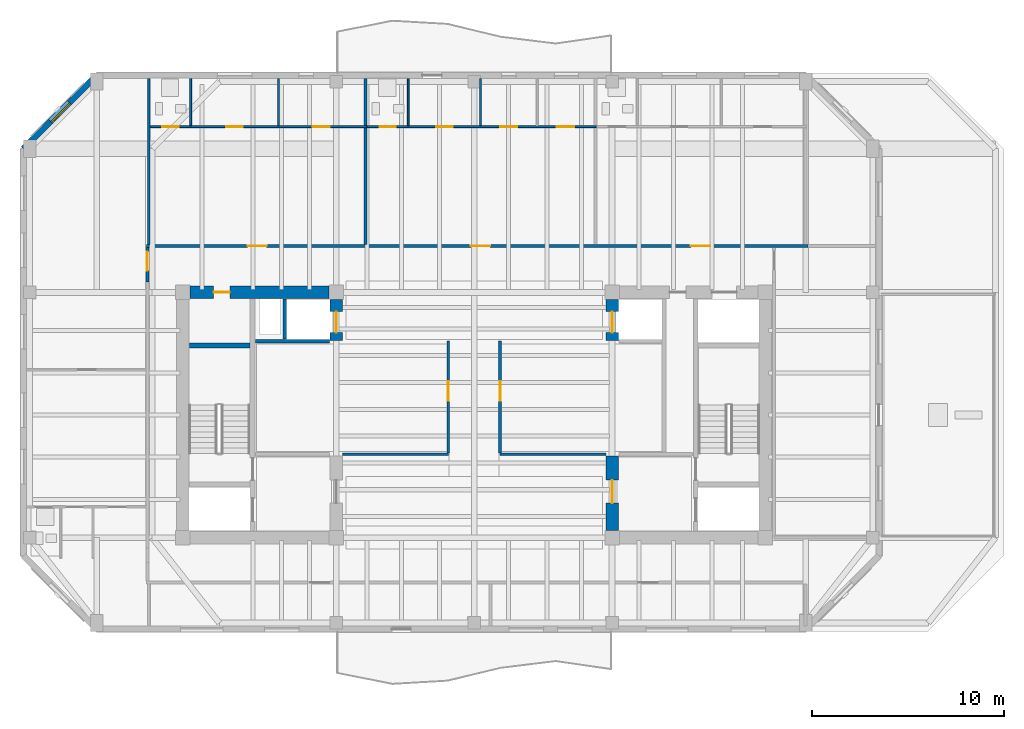
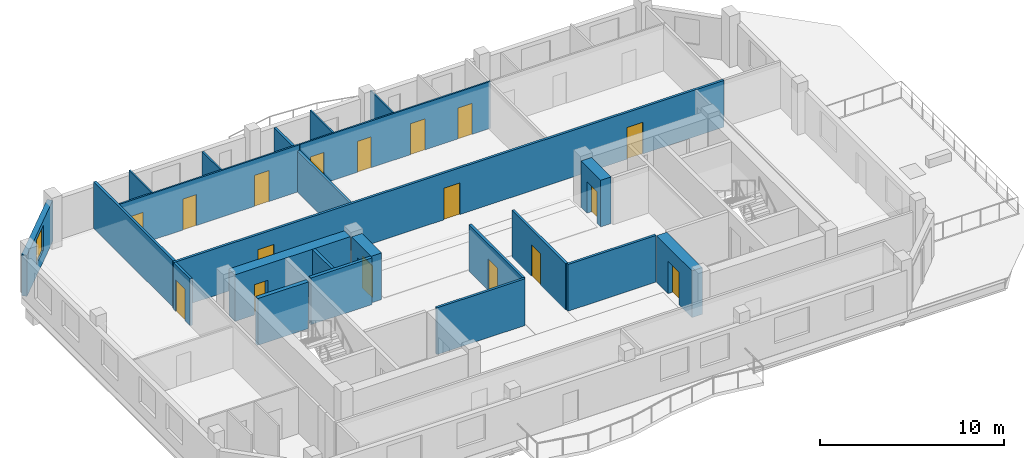
# One storey, part 4 of 10: 22 walls, 17 doors, 1 window, 18 openings.
"""IFC4 building model written with IfcOpenShell, lengths in metres."""

from ifc_helpers import new_model, si_unit, direction, frame, frame_2d, origin, place, context, subcontext, project, spatial, rectangle, extrude, material, layer, layer_set, type_object, element, fill, save


model = new_model("IFC4")

# Units and contexts
model_context = context("Model", 3, precision=1e-05, world=origin(), true_north=direction((0.0, 1.0)))
body_context = subcontext(model_context, "Body", "Model", "MODEL_VIEW")
ifc_project = project(units=[si_unit("LENGTHUNIT", "METRE"), si_unit("AREAUNIT", "SQUARE_METRE"), si_unit("VOLUMEUNIT", "CUBIC_METRE"), si_unit("PLANEANGLEUNIT", "RADIAN"), si_unit("MASSUNIT", "GRAM", prefix="KILO")], contexts=[model_context])

# Site, building, storey
site_placement = place(None, origin())
site = spatial("IfcSite", under=ifc_project, at=site_placement, CompositionType="ELEMENT")
building_placement = place(site_placement, origin())
building = spatial("IfcBuilding", under=site, at=building_placement, Name="Kranthara Brick Stack", CompositionType="ELEMENT")
storey_placement = place(building_placement, frame((0.0, 0.0, 268.699951171875)))
storey = spatial("IfcBuildingStorey", under=building, at=storey_placement, Name="L71", CompositionType="ELEMENT", Elevation=268.699951171875)

# Wall, opening, window
ifc_material_1 = material(Name="Warm buff clay brick masonry M15", Category="masonry")
ifc_layer_1 = layer(ifc_material_1, 0.320068359375)
ifc_layer_set_1 = layer_set([ifc_layer_1], Name="Warm buff clay brick masonry M15")
wall_type_1 = type_object("IfcWallType", Name="WL-BRK-UPPR-320", PredefinedType="STANDARD", material=ifc_layer_set_1)
wall_1_placement = place(storey_placement, frame((4.47998046875, 41.10009765625, 0.0), z_axis=(0.0, 0.0, 1.0), x_axis=(0.70712937715, 0.707084184501, 0.0)))
wall_1 = element("IfcWall", 1, at=wall_1_placement, inside=storey, type_object=wall_type_1, Name="L71 Exterior Brick Facade Wall NW 1", PredefinedType="STANDARD", context=body_context, shape_type="SweptSolid", body=[
    extrude(rectangle(XDim=5.402099609375, YDim=0.320068359375, at=frame_2d((2.701171875, 0.0))), origin(), (0.0, 0.0, 1.0), 2.72509765625),
])
opening_1_placement = place(wall_1_placement, frame((2.0009765625, 0.0, 0.75)))
opening_1 = element("IfcOpeningElement", 2, at=opening_1_placement, cuts=wall_1, Name="Opening WN10", PredefinedType="OPENING", context=body_context, shape_type="SweptSolid", body=[
    extrude(rectangle(XDim=1.39990234375, YDim=1.64990234375, at=frame_2d((0.699951171875, 0.824951171875))), frame((0.0, 0.169921875, 0.0), z_axis=(0.0, -1.0, 0.0), x_axis=(1.0, 0.0, 0.0)), (0.0, 0.0, 1.0), 0.340087890625),
])
ifc_material_2 = material(Name="Double-glazed low-E solar control glass", Category="glass")
window_type = type_object("IfcWindowType", Name="WN-CHM-1400x1750", PartitioningType="SINGLE_PANEL", PredefinedType="WINDOW", material=ifc_material_2)
window_placement = place(opening_1_placement, origin())
window = element("IfcWindow", 3, at=window_placement, inside=storey, type_object=window_type, Name="L71 NW Chamfer Corner Window", OverallHeight=1.64990234375, OverallWidth=1.39990234375, PartitioningType="SINGLE_PANEL", PredefinedType="WINDOW", context=body_context, shape_type="SweptSolid", body=[
    extrude(rectangle(XDim=1.39990234375, YDim=1.64990234375, at=frame_2d((0.699951171875, 0.824951171875))), frame((0.0, -0.010009765625, 0.0), z_axis=(0.0, -1.0, 0.0), x_axis=(1.0, 0.0, 0.0)), (0.0, 0.0, 1.0), 0.06005859375),
])
fill(opening_1, window)

# Wall
ifc_material_3 = material(Name="Concrete C50/60", Category="concrete")
ifc_layer_2 = layer(ifc_material_3, 0.25)
ifc_layer_set_2 = layer_set([ifc_layer_2], Name="Concrete C50/60")
wall_type_2 = type_object("IfcWallType", Name="WL-CORE-250", PredefinedType="SHEAR", material=ifc_layer_set_2)
wall_2_placement = place(storey_placement, frame((13.135009765625, 30.830078125, 0.0), z_axis=(0.0, 0.0, 1.0), x_axis=(1.0, 0.0, 0.0)))
element("IfcWall", 4, at=wall_2_placement, inside=storey, type_object=wall_type_2, Name="L71 West Stairwell Bearing Wall WST", PredefinedType="SHEAR", context=body_context, shape_type="SweptSolid", body=[
    extrude(rectangle(XDim=3.175048828125, YDim=0.25, at=frame_2d((1.58740234375, 0.0))), origin(), (0.0, 0.0, 1.0), 3.10009765625),
])

# Wall, opening, door
ifc_material_4 = material(Name="Concrete C60/75", Category="concrete")
ifc_layer_3 = layer(ifc_material_4, 0.64990234375)
ifc_layer_set_3 = layer_set([ifc_layer_3], Name="Concrete C60/75")
wall_type_3 = type_object("IfcWallType", Name="WL-CORE-650", PredefinedType="SHEAR", material=ifc_layer_set_3)
wall_3_placement = place(storey_placement, frame((13.179931640625, 33.60009765625, 0.0), z_axis=(0.0, 0.0, 1.0), x_axis=(1.0, 0.0, 0.0)))
wall_3 = element("IfcWall", 5, at=wall_3_placement, inside=storey, type_object=wall_type_3, Name="L71 West Core Shear Wall North", PredefinedType="SHEAR", context=body_context, shape_type="SweptSolid", body=[
    extrude(rectangle(XDim=7.239990234375, YDim=0.64990234375, at=frame_2d((3.6201171875, 0.0))), origin(), (0.0, 0.0, 1.0), 3.10009765625),
])
opening_2_placement = place(wall_3_placement, frame((1.219970703125, 0.0, 0.0)))
opening_2 = element("IfcOpeningElement", 6, at=opening_2_placement, cuts=wall_3, Name="Opening D10", PredefinedType="OPENING", context=body_context, shape_type="SweptSolid", body=[
    extrude(rectangle(XDim=0.85009765625, YDim=2.02001953125, at=frame_2d((0.425048828125, 1.010009765625))), frame((0.0, 0.3349609375, 0.0), z_axis=(0.0, -1.0, 0.0), x_axis=(1.0, 0.0, 0.0)), (0.0, 0.0, 1.0), 0.669921875),
])
ifc_material_5 = material(Name="Solid-core hardwood timber leaf in steel frame", Category="steel")
door_type_1 = type_object("IfcDoorType", Name="DR-RSR-850", OperationType="NOTDEFINED", PredefinedType="DOOR", material=ifc_material_5)
door_1_placement = place(opening_2_placement, origin())
door_1 = element("IfcDoor", 7, at=door_1_placement, inside=storey, type_object=door_type_1, Name="L71 West Core Service Door 1", OperationType="SINGLE_SWING_LEFT", OverallHeight=2.02001953125, OverallWidth=0.85009765625, PredefinedType="DOOR", context=body_context, shape_type="SweptSolid", body=[
    extrude(rectangle(XDim=0.85009765625, YDim=2.02001953125, at=frame_2d((0.425048828125, 1.010009765625))), frame((0.0, 0.02490234375, 0.0), z_axis=(0.0, -1.0, 0.0), x_axis=(1.0, 0.0, 0.0)), (0.0, 0.0, 1.0), 0.050048828125),
])
fill(opening_2, door_1)

wall_4_placement = place(storey_placement, frame((20.800048828125, 31.10009765625, 0.0), z_axis=(0.0, 0.0, 1.0), x_axis=(0.0, 1.0, 0.0)))
wall_4 = element("IfcWall", 8, at=wall_4_placement, inside=storey, type_object=wall_type_3, Name="L71 West Core High-Rise Lift Wall", PredefinedType="SHEAR", context=body_context, shape_type="SweptSolid", body=[
    extrude(rectangle(XDim=2.119873046875, YDim=0.64990234375, at=frame_2d((1.06005859375, 0.0))), origin(), (0.0, 0.0, 1.0), 3.10009765625),
])
opening_3_placement = place(wall_4_placement, frame((0.39990234375, 0.0, 0.0)))
opening_3 = element("IfcOpeningElement", 9, at=opening_3_placement, cuts=wall_4, Name="Opening LD02", PredefinedType="OPENING", context=body_context, shape_type="SweptSolid", body=[
    extrude(rectangle(XDim=1.10009765625, YDim=2.10009765625, at=frame_2d((0.550048828125, 1.050048828125))), frame((0.0, 0.3349609375, 0.0), z_axis=(0.0, -1.0, 0.0), x_axis=(1.0, 0.0, 0.0)), (0.0, 0.0, 1.0), 0.669921875),
])
ifc_material_6 = material(Name="Stainless steel sliding landing door", Category="steel")
door_type_2 = type_object("IfcDoorType", Name="DR-LD-PL1100", OperationType="DOUBLE_DOOR_SLIDING", PredefinedType="DOOR", material=ifc_material_6)
door_2_placement = place(opening_3_placement, origin())
door_2 = element("IfcDoor", 10, at=door_2_placement, inside=storey, type_object=door_type_2, Name="L71 PL-07 Lift Landing Door", OperationType="DOUBLE_DOOR_SLIDING", OverallHeight=2.10009765625, OverallWidth=1.10009765625, PredefinedType="DOOR", context=body_context, shape_type="SweptSolid", body=[
    extrude(rectangle(XDim=1.10009765625, YDim=2.10009765625, at=frame_2d((0.550048828125, 1.050048828125))), frame((0.0, 0.02490234375, 0.0), z_axis=(0.0, -1.0, 0.0), x_axis=(1.0, 0.0, 0.0)), (0.0, 0.0, 1.0), 0.050048828125),
])
fill(opening_3, door_2)

wall_5_placement = place(storey_placement, frame((35.199951171875, 21.179931640625, 0.0), z_axis=(0.0, 0.0, 1.0), x_axis=(0.0, 1.0, 0.0)))
wall_5 = element("IfcWall", 11, at=wall_5_placement, inside=storey, type_object=wall_type_3, Name="L71 East Core Lobby Shear Wall", PredefinedType="SHEAR", context=body_context, shape_type="SweptSolid", body=[
    extrude(rectangle(XDim=3.8701171875, YDim=0.64990234375, at=frame_2d((1.93505859375, 0.0))), origin(), (0.0, 0.0, 1.0), 3.10009765625),
])
opening_4_placement = place(wall_5_placement, frame((1.419921875, 0.0, 0.0)))
opening_4 = element("IfcOpeningElement", 12, at=opening_4_placement, cuts=wall_5, Name="Opening D06", PredefinedType="OPENING", context=body_context, shape_type="SweptSolid", body=[
    extrude(rectangle(XDim=1.199951171875, YDim=2.14990234375, at=frame_2d((0.60009765625, 1.074951171875))), frame((0.0, 0.3349609375, 0.0), z_axis=(0.0, -1.0, 0.0), x_axis=(1.0, 0.0, 0.0)), (0.0, 0.0, 1.0), 0.669921875),
])
ifc_material_7 = material(Name="Solid-core hardwood timber leaf in steel frame", Category="steel")
door_type_3 = type_object("IfcDoorType", Name="DR-FFL-1200", OperationType="NOTDEFINED", PredefinedType="DOOR", material=ifc_material_7)
door_3_placement = place(opening_4_placement, origin())
door_3 = element("IfcDoor", 13, at=door_3_placement, inside=storey, type_object=door_type_3, Name="L71 East Firefighting Lobby Door", OperationType="SINGLE_SWING_RIGHT", OverallHeight=2.14990234375, OverallWidth=1.199951171875, PredefinedType="DOOR", context=body_context, shape_type="SweptSolid", body=[
    extrude(rectangle(XDim=1.199951171875, YDim=2.14990234375, at=frame_2d((0.60009765625, 1.074951171875))), frame((0.0, 0.02490234375, 0.0), z_axis=(0.0, -1.0, 0.0), x_axis=(1.0, 0.0, 0.0)), (0.0, 0.0, 1.0), 0.050048828125),
])
fill(opening_4, door_3)

wall_6_placement = place(storey_placement, frame((35.199951171875, 31.10009765625, 0.0), z_axis=(0.0, 0.0, 1.0), x_axis=(0.0, 1.0, 0.0)))
wall_6 = element("IfcWall", 14, at=wall_6_placement, inside=storey, type_object=wall_type_3, Name="L71 East Core High-Rise Lift Wall", PredefinedType="SHEAR", context=body_context, shape_type="SweptSolid", body=[
    extrude(rectangle(XDim=2.119873046875, YDim=0.64990234375, at=frame_2d((1.06005859375, 0.0))), origin(), (0.0, 0.0, 1.0), 3.10009765625),
])
opening_5_placement = place(wall_6_placement, frame((0.39990234375, 0.0, 0.0)))
opening_5 = element("IfcOpeningElement", 15, at=opening_5_placement, cuts=wall_6, Name="Opening LD02", PredefinedType="OPENING", context=body_context, shape_type="SweptSolid", body=[
    extrude(rectangle(XDim=1.10009765625, YDim=2.10009765625, at=frame_2d((0.550048828125, 1.050048828125))), frame((0.0, 0.3349609375, 0.0), z_axis=(0.0, -1.0, 0.0), x_axis=(1.0, 0.0, 0.0)), (0.0, 0.0, 1.0), 0.669921875),
])
door_4_placement = place(opening_5_placement, origin())
door_4 = element("IfcDoor", 16, at=door_4_placement, inside=storey, type_object=door_type_2, Name="L71 PL-08 Lift Landing Door", OperationType="DOUBLE_DOOR_SLIDING", OverallHeight=2.10009765625, OverallWidth=1.10009765625, PredefinedType="DOOR", context=body_context, shape_type="SweptSolid", body=[
    extrude(rectangle(XDim=1.10009765625, YDim=2.10009765625, at=frame_2d((0.550048828125, 1.050048828125))), frame((0.0, 0.02490234375, 0.0), z_axis=(0.0, -1.0, 0.0), x_axis=(1.0, 0.0, 0.0)), (0.0, 0.0, 1.0), 0.050048828125),
])
fill(opening_5, door_4)

# Wall, openings, doors
ifc_material_8 = material(Name="Moisture-resistant wet-room partition", Category="other")
ifc_layer_4 = layer(ifc_material_8, 0.10009765625)
ifc_layer_set_4 = layer_set([ifc_layer_4], Name="Moisture-resistant wet-room partition")
wall_type_4 = type_object("IfcWallType", Name="WL-PART-100", PredefinedType="PARTITIONING", material=ifc_layer_set_4)
wall_7_placement = place(storey_placement, frame((11.10009765625, 42.25, 0.0), z_axis=(0.0, 0.0, 1.0), x_axis=(1.0, 0.0, 0.0)))
wall_7 = element("IfcWall", 17, at=wall_7_placement, inside=storey, type_object=wall_type_4, Name="L71 Interior Partition 011", PredefinedType="PARTITIONING", context=body_context, shape_type="SweptSolid", body=[
    extrude(rectangle(XDim=11.27197265625, YDim=0.10009765625, at=frame_2d((5.635986328125, 0.0))), origin(), (0.0, 0.0, 1.0), 3.10009765625),
])
opening_6_placement = place(wall_7_placement, frame((0.625, 0.0, 0.0)))
opening_6 = element("IfcOpeningElement", 18, at=opening_6_placement, cuts=wall_7, Name="Opening D17", PredefinedType="OPENING", context=body_context, shape_type="SweptSolid", body=[
    extrude(rectangle(XDim=0.85009765625, YDim=2.050048828125, at=frame_2d((0.425048828125, 1.02490234375))), frame((0.0, 0.06005859375, 0.0), z_axis=(0.0, -1.0, 0.0), x_axis=(1.0, 0.0, 0.0)), (0.0, 0.0, 1.0), 0.1201171875),
])
opening_7_placement = place(wall_7_placement, frame((3.970947265625, 0.0, 0.0)))
opening_7 = element("IfcOpeningElement", 19, at=opening_7_placement, cuts=wall_7, Name="Opening D16", PredefinedType="OPENING", context=body_context, shape_type="SweptSolid", body=[
    extrude(rectangle(XDim=0.85009765625, YDim=2.050048828125, at=frame_2d((0.425048828125, 1.02490234375))), frame((0.0, 0.06005859375, 0.0), z_axis=(0.0, -1.0, 0.0), x_axis=(1.0, 0.0, 0.0)), (0.0, 0.0, 1.0), 0.1201171875),
])
opening_8_placement = place(wall_7_placement, frame((8.471923828125, 0.0, 0.0)))
opening_8 = element("IfcOpeningElement", 20, at=opening_8_placement, cuts=wall_7, Name="Opening D15", PredefinedType="OPENING", context=body_context, shape_type="SweptSolid", body=[
    extrude(rectangle(XDim=0.89990234375, YDim=2.050048828125, at=frame_2d((0.449951171875, 1.02490234375))), frame((0.0, 0.06005859375, 0.0), z_axis=(0.0, -1.0, 0.0), x_axis=(1.0, 0.0, 0.0)), (0.0, 0.0, 1.0), 0.1201171875),
])
ifc_material_9 = material(Name="Solid-core hardwood timber leaf in steel frame", Category="steel")
door_type_4 = type_object("IfcDoorType", Name="DR-INT-850", OperationType="NOTDEFINED", PredefinedType="DOOR", material=ifc_material_9)
door_5_placement = place(opening_7_placement, origin())
door_5 = element("IfcDoor", 21, at=door_5_placement, inside=storey, type_object=door_type_4, Name="L71 Unit L71A Kitchen 07", OperationType="SINGLE_SWING_LEFT", OverallHeight=2.050048828125, OverallWidth=0.85009765625, PredefinedType="DOOR", context=body_context, shape_type="SweptSolid", body=[
    extrude(rectangle(XDim=0.85009765625, YDim=2.050048828125, at=frame_2d((0.425048828125, 1.02490234375))), frame((0.0, 0.02490234375, 0.0), z_axis=(0.0, -1.0, 0.0), x_axis=(1.0, 0.0, 0.0)), (0.0, 0.0, 1.0), 0.050048828125),
])
fill(opening_7, door_5)
ifc_material_10 = material(Name="Solid-core hardwood timber leaf in steel frame", Category="steel")
door_type_5 = type_object("IfcDoorType", Name="DR-INT-900", OperationType="NOTDEFINED", PredefinedType="DOOR", material=ifc_material_10)
door_6_placement = place(opening_8_placement, origin())
door_6 = element("IfcDoor", 22, at=door_6_placement, inside=storey, type_object=door_type_5, Name="L71 Unit L71A Bedroom 08", OperationType="SINGLE_SWING_RIGHT", OverallHeight=2.050048828125, OverallWidth=0.89990234375, PredefinedType="DOOR", context=body_context, shape_type="SweptSolid", body=[
    extrude(rectangle(XDim=0.89990234375, YDim=2.050048828125, at=frame_2d((0.449951171875, 1.02490234375))), frame((0.0, 0.02490234375, 0.0), z_axis=(0.0, -1.0, 0.0), x_axis=(1.0, 0.0, 0.0)), (0.0, 0.0, 1.0), 0.050048828125),
])
fill(opening_8, door_6)
ifc_material_11 = material(Name="Solid-core hardwood timber leaf in steel frame", Category="steel")
door_type_6 = type_object("IfcDoorType", Name="DR-WET-850", OperationType="NOTDEFINED", PredefinedType="DOOR", material=ifc_material_11)
door_7_placement = place(opening_6_placement, origin())
door_7 = element("IfcDoor", 23, at=door_7_placement, inside=storey, type_object=door_type_6, Name="L71 Unit L71A Bathroom 06", OperationType="SINGLE_SWING_RIGHT", OverallHeight=2.050048828125, OverallWidth=0.85009765625, PredefinedType="DOOR", context=body_context, shape_type="SweptSolid", body=[
    extrude(rectangle(XDim=0.85009765625, YDim=2.050048828125, at=frame_2d((0.425048828125, 1.02490234375))), frame((0.0, 0.02490234375, 0.0), z_axis=(0.0, -1.0, 0.0), x_axis=(1.0, 0.0, 0.0)), (0.0, 0.0, 1.0), 0.050048828125),
])
fill(opening_6, door_7)

# Walls
wall_8_placement = place(storey_placement, frame((13.199951171875, 42.304931640625, 0.0), z_axis=(0.0, 0.0, 1.0), x_axis=(0.0, 1.0, 0.0)))
element("IfcWall", 24, at=wall_8_placement, inside=storey, type_object=wall_type_4, Name="L71 Interior Partition 012", PredefinedType="PARTITIONING", context=body_context, shape_type="SweptSolid", body=[
    extrude(rectangle(XDim=2.449951171875, YDim=0.10009765625, at=frame_2d((1.22509765625, 0.0))), origin(), (0.0, 0.0, 1.0), 3.10009765625),
])
wall_9_placement = place(storey_placement, frame((17.791015625, 42.304931640625, 0.0), z_axis=(0.0, 0.0, 1.0), x_axis=(0.0, 1.0, 0.0)))
element("IfcWall", 25, at=wall_9_placement, inside=storey, type_object=wall_type_4, Name="L71 Interior Partition 013", PredefinedType="PARTITIONING", context=body_context, shape_type="SweptSolid", body=[
    extrude(rectangle(XDim=2.449951171875, YDim=0.10009765625, at=frame_2d((1.22509765625, 0.0))), origin(), (0.0, 0.0, 1.0), 2.72509765625),
])

# Wall, openings, doors
wall_10_placement = place(storey_placement, frame((22.412109375, 42.25, 0.0), z_axis=(0.0, 0.0, 1.0), x_axis=(1.0, 0.0, 0.0)))
wall_10 = element("IfcWall", 26, at=wall_10_placement, inside=storey, type_object=wall_type_4, Name="L71 Interior Partition 015", PredefinedType="PARTITIONING", context=body_context, shape_type="SweptSolid", body=[
    extrude(rectangle(XDim=11.9580078125, YDim=0.10009765625, at=frame_2d((5.97900390625, 0.0))), origin(), (0.0, 0.0, 1.0), 3.10009765625),
])
opening_9_placement = place(wall_10_placement, frame((0.64990234375, 0.0, 0.0)))
opening_9 = element("IfcOpeningElement", 27, at=opening_9_placement, cuts=wall_10, Name="Opening D17", PredefinedType="OPENING", context=body_context, shape_type="SweptSolid", body=[
    extrude(rectangle(XDim=0.85009765625, YDim=2.050048828125, at=frame_2d((0.425048828125, 1.02490234375))), frame((0.0, 0.06005859375, 0.0), z_axis=(0.0, -1.0, 0.0), x_axis=(1.0, 0.0, 0.0)), (0.0, 0.0, 1.0), 0.1201171875),
])
opening_10_placement = place(wall_10_placement, frame((3.610107421875, 0.0, 0.0)))
opening_10 = element("IfcOpeningElement", 28, at=opening_10_placement, cuts=wall_10, Name="Opening D16", PredefinedType="OPENING", context=body_context, shape_type="SweptSolid", body=[
    extrude(rectangle(XDim=0.85009765625, YDim=2.050048828125, at=frame_2d((0.425048828125, 1.02490234375))), frame((0.0, 0.06005859375, 0.0), z_axis=(0.0, -1.0, 0.0), x_axis=(1.0, 0.0, 0.0)), (0.0, 0.0, 1.0), 0.1201171875),
])
opening_11_placement = place(wall_10_placement, frame((6.948974609375, 0.0, 0.0)))
opening_11 = element("IfcOpeningElement", 29, at=opening_11_placement, cuts=wall_10, Name="Opening D15", PredefinedType="OPENING", context=body_context, shape_type="SweptSolid", body=[
    extrude(rectangle(XDim=0.89990234375, YDim=2.050048828125, at=frame_2d((0.449951171875, 1.02490234375))), frame((0.0, 0.06005859375, 0.0), z_axis=(0.0, -1.0, 0.0), x_axis=(1.0, 0.0, 0.0)), (0.0, 0.0, 1.0), 0.1201171875),
])
opening_12_placement = place(wall_10_placement, frame((9.908935546875, 0.0, 0.0)))
opening_12 = element("IfcOpeningElement", 30, at=opening_12_placement, cuts=wall_10, Name="Opening D15", PredefinedType="OPENING", context=body_context, shape_type="SweptSolid", body=[
    extrude(rectangle(XDim=0.89990234375, YDim=2.050048828125, at=frame_2d((0.449951171875, 1.02490234375))), frame((0.0, 0.06005859375, 0.0), z_axis=(0.0, -1.0, 0.0), x_axis=(1.0, 0.0, 0.0)), (0.0, 0.0, 1.0), 0.1201171875),
])
door_8_placement = place(opening_10_placement, origin())
door_8 = element("IfcDoor", 31, at=door_8_placement, inside=storey, type_object=door_type_4, Name="L71 Unit L71B Kitchen 11", OperationType="SINGLE_SWING_LEFT", OverallHeight=2.050048828125, OverallWidth=0.85009765625, PredefinedType="DOOR", context=body_context, shape_type="SweptSolid", body=[
    extrude(rectangle(XDim=0.85009765625, YDim=2.050048828125, at=frame_2d((0.425048828125, 1.02490234375))), frame((0.0, 0.02490234375, 0.0), z_axis=(0.0, -1.0, 0.0), x_axis=(1.0, 0.0, 0.0)), (0.0, 0.0, 1.0), 0.050048828125),
])
fill(opening_10, door_8)
door_9_placement = place(opening_11_placement, origin())
door_9 = element("IfcDoor", 32, at=door_9_placement, inside=storey, type_object=door_type_5, Name="L71 Unit L71B Master Bedroom 12", OperationType="SINGLE_SWING_RIGHT", OverallHeight=2.050048828125, OverallWidth=0.89990234375, PredefinedType="DOOR", context=body_context, shape_type="SweptSolid", body=[
    extrude(rectangle(XDim=0.89990234375, YDim=2.050048828125, at=frame_2d((0.449951171875, 1.02490234375))), frame((0.0, 0.02490234375, 0.0), z_axis=(0.0, -1.0, 0.0), x_axis=(1.0, 0.0, 0.0)), (0.0, 0.0, 1.0), 0.050048828125),
])
fill(opening_11, door_9)
door_10_placement = place(opening_12_placement, origin())
door_10 = element("IfcDoor", 33, at=door_10_placement, inside=storey, type_object=door_type_5, Name="L71 Unit L71B Bedroom 2 13", OperationType="SINGLE_SWING_LEFT", OverallHeight=2.050048828125, OverallWidth=0.89990234375, PredefinedType="DOOR", context=body_context, shape_type="SweptSolid", body=[
    extrude(rectangle(XDim=0.89990234375, YDim=2.050048828125, at=frame_2d((0.449951171875, 1.02490234375))), frame((0.0, 0.02490234375, 0.0), z_axis=(0.0, -1.0, 0.0), x_axis=(1.0, 0.0, 0.0)), (0.0, 0.0, 1.0), 0.050048828125),
])
fill(opening_12, door_10)
door_11_placement = place(opening_9_placement, origin())
door_11 = element("IfcDoor", 34, at=door_11_placement, inside=storey, type_object=door_type_6, Name="L71 Unit L71B Bathroom 10", OperationType="SINGLE_SWING_RIGHT", OverallHeight=2.050048828125, OverallWidth=0.85009765625, PredefinedType="DOOR", context=body_context, shape_type="SweptSolid", body=[
    extrude(rectangle(XDim=0.85009765625, YDim=2.050048828125, at=frame_2d((0.425048828125, 1.02490234375))), frame((0.0, 0.02490234375, 0.0), z_axis=(0.0, -1.0, 0.0), x_axis=(1.0, 0.0, 0.0)), (0.0, 0.0, 1.0), 0.050048828125),
])
fill(opening_9, door_11)

# Walls
for number, where, z_axis, x_axis, name in (
    (35, (24.56201171875, 42.304931640625, 0.0), (0.0, 0.0, 1.0), (0.0, 1.0, 0.0), "L71 Interior Partition 016"),
    (36, (28.3310546875, 42.304931640625, 0.0), (0.0, 0.0, 1.0), (0.0, 1.0, 0.0), "L71 Interior Partition 017"),
):
    element("IfcWall", number, at=place(storey_placement, frame(where, z_axis=z_axis, x_axis=x_axis)), inside=storey, type_object=wall_type_4, Name=name, PredefinedType="PARTITIONING", context=body_context, shape_type="SweptSolid", body=[
        extrude(rectangle(XDim=2.449951171875, YDim=0.10009765625, at=frame_2d((1.22509765625, 0.0))), origin(), (0.0, 0.0, 1.0), 3.10009765625),
    ])
ifc_material_12 = material(Name="Fire-rated gypsum board partition", Category="other")
ifc_layer_5 = layer(ifc_material_12, 0.14990234375)
ifc_layer_set_5 = layer_set([ifc_layer_5], Name="Fire-rated gypsum board partition")
wall_type_5 = type_object("IfcWallType", Name="WL-PART-150", PredefinedType="PARTITIONING", material=ifc_layer_set_5)
for number, where, z_axis, x_axis, name in (
    (37, (21.1298828125, 25.14990234375, 0.0), (0.0, 0.0, 1.0), (1.0, 0.0, 0.0), "L71 Interior Partition 001"),
    (38, (29.35009765625, 25.14990234375, 0.0), (0.0, 0.0, 1.0), (1.0, 0.0, 0.0), "L71 Interior Partition 002"),
):
    element("IfcWall", number, at=place(storey_placement, frame(where, z_axis=z_axis, x_axis=x_axis)), inside=storey, type_object=wall_type_5, Name=name, PredefinedType="PARTITIONING", context=body_context, shape_type="SweptSolid", body=[
        extrude(rectangle(XDim=5.52001953125, YDim=0.14990234375, at=frame_2d((2.760009765625, 0.0))), origin(), (0.0, 0.0, 1.0), 3.10009765625),
    ])

# Wall, opening, door
wall_11_placement = place(storey_placement, frame((26.64990234375, 25.22998046875, 0.0), z_axis=(0.0, 0.0, 1.0), x_axis=(0.0, 1.0, 0.0)))
wall_11 = element("IfcWall", 39, at=wall_11_placement, inside=storey, type_object=wall_type_5, Name="L71 Interior Partition 003", PredefinedType="PARTITIONING", context=body_context, shape_type="SweptSolid", body=[
    extrude(rectangle(XDim=5.820068359375, YDim=0.14990234375, at=frame_2d((2.91015625, 0.0))), origin(), (0.0, 0.0, 1.0), 3.10009765625),
])
opening_13_placement = place(wall_11_placement, frame((2.719970703125, 0.0, 0.0)))
opening_13 = element("IfcOpeningElement", 40, at=opening_13_placement, cuts=wall_11, Name="Opening D08", PredefinedType="OPENING", context=body_context, shape_type="SweptSolid", body=[
    extrude(rectangle(XDim=1.0, YDim=2.10009765625, at=frame_2d((0.5, 1.050048828125))), frame((0.0, 0.0849609375, 0.0), z_axis=(0.0, -1.0, 0.0), x_axis=(1.0, 0.0, 0.0)), (0.0, 0.0, 1.0), 0.169921875),
])
ifc_material_13 = material(Name="Solid-core hardwood timber leaf in steel frame", Category="steel")
door_type_7 = type_object("IfcDoorType", Name="DR-FD-1000", OperationType="NOTDEFINED", PredefinedType="DOOR", material=ifc_material_13)
door_12_placement = place(opening_13_placement, origin())
door_12 = element("IfcDoor", 41, at=door_12_placement, inside=storey, type_object=door_type_7, Name="L71 Residents Study Salon 01", OperationType="SINGLE_SWING_LEFT", OverallHeight=2.10009765625, OverallWidth=1.0, PredefinedType="DOOR", context=body_context, shape_type="SweptSolid", body=[
    extrude(rectangle(XDim=1.0, YDim=2.10009765625, at=frame_2d((0.5, 1.050048828125))), frame((0.0, 0.02490234375, 0.0), z_axis=(0.0, -1.0, 0.0), x_axis=(1.0, 0.0, 0.0)), (0.0, 0.0, 1.0), 0.050048828125),
])
fill(opening_13, door_12)

wall_12_placement = place(storey_placement, frame((29.35009765625, 25.22998046875, 0.0), z_axis=(0.0, 0.0, 1.0), x_axis=(0.0, 1.0, 0.0)))
wall_12 = element("IfcWall", 42, at=wall_12_placement, inside=storey, type_object=wall_type_5, Name="L71 Interior Partition 004", PredefinedType="PARTITIONING", context=body_context, shape_type="SweptSolid", body=[
    extrude(rectangle(XDim=5.820068359375, YDim=0.14990234375, at=frame_2d((2.91015625, 0.0))), origin(), (0.0, 0.0, 1.0), 3.10009765625),
])
opening_14_placement = place(wall_12_placement, frame((2.719970703125, 0.0, 0.0)))
opening_14 = element("IfcOpeningElement", 43, at=opening_14_placement, cuts=wall_12, Name="Opening D08", PredefinedType="OPENING", context=body_context, shape_type="SweptSolid", body=[
    extrude(rectangle(XDim=1.0, YDim=2.10009765625, at=frame_2d((0.5, 1.050048828125))), frame((0.0, 0.0849609375, 0.0), z_axis=(0.0, -1.0, 0.0), x_axis=(1.0, 0.0, 0.0)), (0.0, 0.0, 1.0), 0.169921875),
])
door_13_placement = place(opening_14_placement, origin())
door_13 = element("IfcDoor", 44, at=door_13_placement, inside=storey, type_object=door_type_7, Name="L71 Private Dining Lounge 02", OperationType="SINGLE_SWING_RIGHT", OverallHeight=2.10009765625, OverallWidth=1.0, PredefinedType="DOOR", context=body_context, shape_type="SweptSolid", body=[
    extrude(rectangle(XDim=1.0, YDim=2.10009765625, at=frame_2d((0.5, 1.050048828125))), frame((0.0, 0.02490234375, 0.0), z_axis=(0.0, -1.0, 0.0), x_axis=(1.0, 0.0, 0.0)), (0.0, 0.0, 1.0), 0.050048828125),
])
fill(opening_14, door_13)

# Wall, openings, doors
wall_13_placement = place(storey_placement, frame((10.89990234375, 36.02001953125, 0.0), z_axis=(0.0, 0.0, 1.0), x_axis=(1.0, 0.0, 0.0)))
wall_13 = element("IfcWall", 45, at=wall_13_placement, inside=storey, type_object=wall_type_5, Name="L71 Interior Partition 009", PredefinedType="PARTITIONING", context=body_context, shape_type="SweptSolid", body=[
    extrude(rectangle(XDim=34.52001953125, YDim=0.14990234375, at=frame_2d((17.260009765625, 0.0))), origin(), (0.0, 0.0, 1.0), 3.10009765625),
])
opening_15_placement = place(wall_13_placement, frame((5.27587890625, 0.0, 0.0)))
opening_15 = element("IfcOpeningElement", 46, at=opening_15_placement, cuts=wall_13, Name="Opening D08", PredefinedType="OPENING", context=body_context, shape_type="SweptSolid", body=[
    extrude(rectangle(XDim=1.0, YDim=2.10009765625, at=frame_2d((0.5, 1.050048828125))), frame((0.0, 0.0849609375, 0.0), z_axis=(0.0, -1.0, 0.0), x_axis=(1.0, 0.0, 0.0)), (0.0, 0.0, 1.0), 0.169921875),
])
opening_16_placement = place(wall_13_placement, frame((16.930908203125, 0.0, 0.0)))
opening_16 = element("IfcOpeningElement", 47, at=opening_16_placement, cuts=wall_13, Name="Opening D08", PredefinedType="OPENING", context=body_context, shape_type="SweptSolid", body=[
    extrude(rectangle(XDim=1.0, YDim=2.10009765625, at=frame_2d((0.5, 1.050048828125))), frame((0.0, 0.0849609375, 0.0), z_axis=(0.0, -1.0, 0.0), x_axis=(1.0, 0.0, 0.0)), (0.0, 0.0, 1.0), 0.169921875),
])
opening_17_placement = place(wall_13_placement, frame((28.4150390625, 0.0, 0.0)))
opening_17 = element("IfcOpeningElement", 48, at=opening_17_placement, cuts=wall_13, Name="Opening D08", PredefinedType="OPENING", context=body_context, shape_type="SweptSolid", body=[
    extrude(rectangle(XDim=1.0, YDim=2.10009765625, at=frame_2d((0.5, 1.050048828125))), frame((0.0, 0.0849609375, 0.0), z_axis=(0.0, -1.0, 0.0), x_axis=(1.0, 0.0, 0.0)), (0.0, 0.0, 1.0), 0.169921875),
])
door_14_placement = place(opening_15_placement, origin())
door_14 = element("IfcDoor", 49, at=door_14_placement, inside=storey, type_object=door_type_7, Name="L71 Unit L71A Entrance 05", OperationType="SINGLE_SWING_LEFT", OverallHeight=2.10009765625, OverallWidth=1.0, PredefinedType="DOOR", context=body_context, shape_type="SweptSolid", body=[
    extrude(rectangle(XDim=1.0, YDim=2.10009765625, at=frame_2d((0.5, 1.050048828125))), frame((0.0, 0.02490234375, 0.0), z_axis=(0.0, -1.0, 0.0), x_axis=(1.0, 0.0, 0.0)), (0.0, 0.0, 1.0), 0.050048828125),
])
fill(opening_15, door_14)
door_15_placement = place(opening_16_placement, origin())
door_15 = element("IfcDoor", 50, at=door_15_placement, inside=storey, type_object=door_type_7, Name="L71 Unit L71B Entrance 09", OperationType="SINGLE_SWING_LEFT", OverallHeight=2.10009765625, OverallWidth=1.0, PredefinedType="DOOR", context=body_context, shape_type="SweptSolid", body=[
    extrude(rectangle(XDim=1.0, YDim=2.10009765625, at=frame_2d((0.5, 1.050048828125))), frame((0.0, 0.02490234375, 0.0), z_axis=(0.0, -1.0, 0.0), x_axis=(1.0, 0.0, 0.0)), (0.0, 0.0, 1.0), 0.050048828125),
])
fill(opening_16, door_15)
door_16_placement = place(opening_17_placement, origin())
door_16 = element("IfcDoor", 51, at=door_16_placement, inside=storey, type_object=door_type_7, Name="L71 Unit L71C Entrance 14", OperationType="SINGLE_SWING_RIGHT", OverallHeight=2.10009765625, OverallWidth=1.0, PredefinedType="DOOR", context=body_context, shape_type="SweptSolid", body=[
    extrude(rectangle(XDim=1.0, YDim=2.10009765625, at=frame_2d((0.5, 1.050048828125))), frame((0.0, 0.02490234375, 0.0), z_axis=(0.0, -1.0, 0.0), x_axis=(1.0, 0.0, 0.0)), (0.0, 0.0, 1.0), 0.050048828125),
])
fill(opening_17, door_16)

# Walls
wall_14_placement = place(storey_placement, frame((11.02001953125, 36.10009765625, 0.0), z_axis=(0.0, 0.0, 1.0), x_axis=(0.0, 1.0, 0.0)))
element("IfcWall", 52, at=wall_14_placement, inside=storey, type_object=wall_type_5, Name="L71 Interior Partition 010", PredefinedType="PARTITIONING", context=body_context, shape_type="SweptSolid", body=[
    extrude(rectangle(XDim=8.65478515625, YDim=0.14990234375, at=frame_2d((4.327392578125, 0.0))), origin(), (0.0, 0.0, 1.0), 3.10009765625),
])
wall_15_placement = place(storey_placement, frame((22.33203125, 36.10009765625, 0.0), z_axis=(0.0, 0.0, 1.0), x_axis=(0.0, 1.0, 0.0)))
element("IfcWall", 53, at=wall_15_placement, inside=storey, type_object=wall_type_5, Name="L71 Interior Partition 014", PredefinedType="PARTITIONING", context=body_context, shape_type="SweptSolid", body=[
    extrude(rectangle(XDim=8.65478515625, YDim=0.14990234375, at=frame_2d((4.327392578125, 0.0))), origin(), (0.0, 0.0, 1.0), 2.72509765625),
])

# Wall, opening, door
wall_16_placement = place(storey_placement, frame((10.949951171875, 34.14990234375, 0.0), z_axis=(0.0, 0.0, 1.0), x_axis=(0.0, 1.0, 0.0)))
wall_16 = element("IfcWall", 54, at=wall_16_placement, inside=storey, type_object=wall_type_5, Name="L71 Interior Partition 027", PredefinedType="PARTITIONING", context=body_context, shape_type="SweptSolid", body=[
    extrude(rectangle(XDim=1.7900390625, YDim=0.14990234375, at=frame_2d((0.89501953125, 0.0))), origin(), (0.0, 0.0, 1.0), 3.10009765625),
])
opening_18_placement = place(wall_16_placement, frame((0.580078125, 0.0, 0.0)))
opening_18 = element("IfcOpeningElement", 55, at=opening_18_placement, cuts=wall_16, Name="Opening D08", PredefinedType="OPENING", context=body_context, shape_type="SweptSolid", body=[
    extrude(rectangle(XDim=1.0, YDim=2.10009765625, at=frame_2d((0.5, 1.050048828125))), frame((0.0, 0.0849609375, 0.0), z_axis=(0.0, -1.0, 0.0), x_axis=(1.0, 0.0, 0.0)), (0.0, 0.0, 1.0), 0.169921875),
])
door_17_placement = place(opening_18_placement, origin())
door_17 = element("IfcDoor", 56, at=door_17_placement, inside=storey, type_object=door_type_7, Name="L71 Unit L71D Entrance 18", OperationType="SINGLE_SWING_RIGHT", OverallHeight=2.10009765625, OverallWidth=1.0, PredefinedType="DOOR", context=body_context, shape_type="SweptSolid", body=[
    extrude(rectangle(XDim=1.0, YDim=2.10009765625, at=frame_2d((0.5, 1.050048828125))), frame((0.0, 0.02490234375, 0.0), z_axis=(0.0, -1.0, 0.0), x_axis=(1.0, 0.0, 0.0)), (0.0, 0.0, 1.0), 0.050048828125),
])
fill(opening_18, door_17)

# Walls
ifc_material_14 = material(Name="Gypsum plasterboard on acoustic twin stud", Category="other")
ifc_layer_6 = layer(ifc_material_14, 0.179931640625)
ifc_layer_set_6 = layer_set([ifc_layer_6], Name="Gypsum plasterboard on acoustic twin stud")
wall_type_6 = type_object("IfcWallType", Name="WL-PART-180", PredefinedType="PARTITIONING", material=ifc_layer_set_6)
wall_17_placement = place(storey_placement, frame((18.1201171875, 31.169921875, 0.0), z_axis=(0.0, 0.0, 1.0), x_axis=(0.0, 1.0, 0.0)))
element("IfcWall", 57, at=wall_17_placement, inside=storey, type_object=wall_type_6, Name="L71 PL-07 Shaft Back Wall", PredefinedType="PARTITIONING", context=body_context, shape_type="SweptSolid", body=[
    extrude(rectangle(XDim=2.094970703125, YDim=0.179931640625, at=frame_2d((1.04736328125, 0.0))), origin(), (0.0, 0.0, 1.0), 3.10009765625),
])
ifc_material_15 = material(Name="Concrete C40/50", Category="concrete")
ifc_layer_7 = layer(ifc_material_15, 0.199951171875)
ifc_layer_set_7 = layer_set([ifc_layer_7], Name="Concrete C40/50")
wall_type_7 = type_object("IfcWallType", Name="WL-PART-200", PredefinedType="SOLIDWALL", material=ifc_layer_set_7)
wall_18_placement = place(storey_placement, frame((16.60009765625, 31.050048828125, 0.0), z_axis=(0.0, 0.0, 1.0), x_axis=(1.0, 0.0, 0.0)))
element("IfcWall", 58, at=wall_18_placement, inside=storey, type_object=wall_type_7, Name="L71 West Core Cross Wall WH4", PredefinedType="SOLIDWALL", context=body_context, shape_type="SweptSolid", body=[
    extrude(rectangle(XDim=3.849853515625, YDim=0.199951171875, at=frame_2d((1.9248046875, 0.0))), origin(), (0.0, 0.0, 1.0), 3.10009765625),
])

save(model, "model.ifc")
